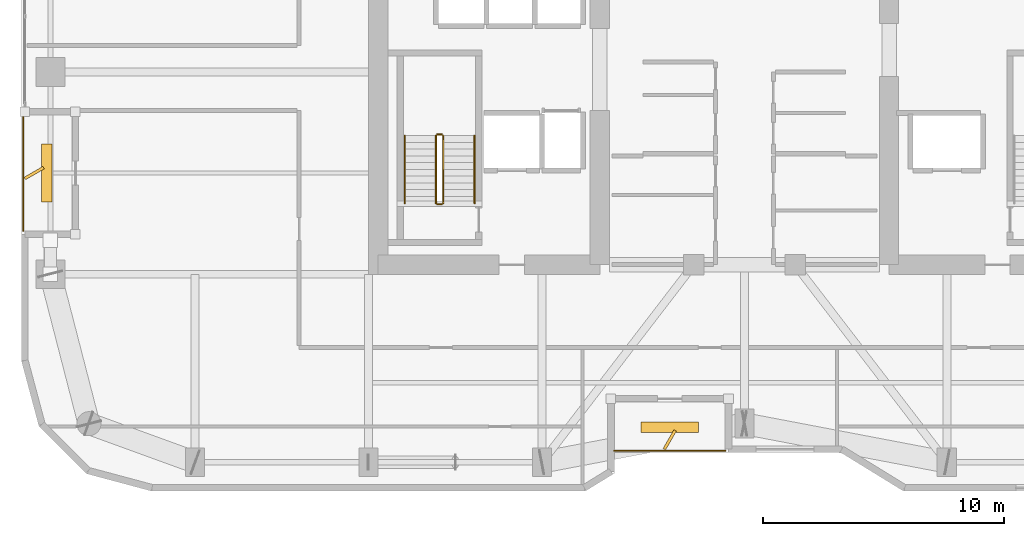
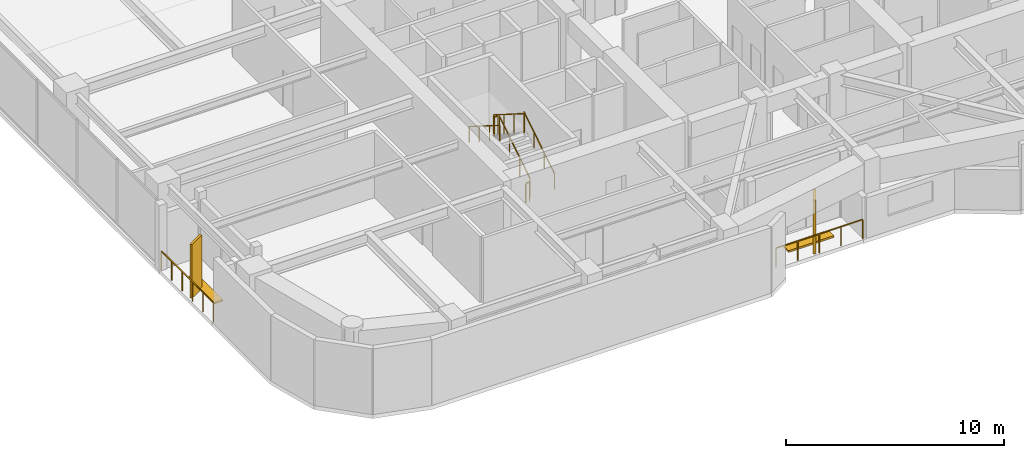
# One storey, part 28 of 30: 8 railings, 4 shading devices.
"""IFC4 building model written with IfcOpenShell, lengths in metres."""

from ifc_helpers import new_model, si_unit, direction, frame, origin, origin_2d, place, context, subcontext, project, spatial, rectangle, extrude, material, type_object, element, save


model = new_model("IFC4")

# Units and contexts
model_context = context("Model", 3, precision=1e-05, world=origin(), true_north=direction((0.0, 1.0)))
body_context = subcontext(model_context, "Body", "Model", "MODEL_VIEW")
ifc_project = project(units=[si_unit("LENGTHUNIT", "METRE"), si_unit("AREAUNIT", "SQUARE_METRE"), si_unit("VOLUMEUNIT", "CUBIC_METRE"), si_unit("PLANEANGLEUNIT", "RADIAN"), si_unit("MASSUNIT", "GRAM", prefix="KILO")], contexts=[model_context])

# Site, building, storey
site_placement = place(None, origin())
site = spatial("IfcSite", under=ifc_project, at=site_placement, CompositionType="ELEMENT")
building_placement = place(site_placement, origin())
building = spatial("IfcBuilding", under=site, at=building_placement, Name="Kiyonajd Concourse Tower", CompositionType="ELEMENT")
storey_placement = place(building_placement, frame((0.0, 0.0, 174.0)))
storey = spatial("IfcBuildingStorey", under=building, at=storey_placement, Name="L44", CompositionType="ELEMENT", Elevation=174.0)

# Railings
ifc_material_1 = material(Name="Thermally Broken Anodised Aluminium", Category="aluminium")
railing_type_1 = type_object("IfcRailingType", Name="RL-GRD-LOG", PredefinedType="GUARDRAIL", material=ifc_material_1)
railing_1_placement = place(storey_placement, frame((42.60009765625, 20.280029296875, 0.0)))
element("IfcRailing", 1, at=railing_1_placement, inside=storey, type_object=railing_type_1, Name="L44 Engawa Loggia Perimeter Guard LOG-S", PredefinedType="GUARDRAIL", context=body_context, shape_type="SweptSolid", body=[
    extrude(rectangle(XDim=0.048095703125, YDim=0.048095703125, at=origin_2d()), frame((0.0, 0.0, 1.076171875), z_axis=(1.0, 0.0, 0.0), x_axis=(0.0, 1.0, 0.0)), (0.0, 0.0, 1.0), 4.599853515625),
    extrude(rectangle(XDim=0.0419921875, YDim=0.0419921875, at=origin_2d()), origin(), (0.0, 0.0, 1.0), 1.052001953125),
    extrude(rectangle(XDim=0.0419921875, YDim=0.0419921875, at=origin_2d()), frame((1.14990234375, 0.0, 0.0)), (0.0, 0.0, 1.0), 1.052001953125),
    extrude(rectangle(XDim=0.0419921875, YDim=0.0419921875, at=origin_2d()), frame((2.2998046875, 0.0, 0.0)), (0.0, 0.0, 1.0), 1.052001953125),
    extrude(rectangle(XDim=0.0419921875, YDim=0.0419921875, at=origin_2d()), frame((3.449951171875, 0.0, 0.0)), (0.0, 0.0, 1.0), 1.052001953125),
    extrude(rectangle(XDim=0.0419921875, YDim=0.0419921875, at=origin_2d()), frame((4.599853515625, 0.0, 0.0)), (0.0, 0.0, 1.0), 1.052001953125),
])
railing_2_placement = place(storey_placement, frame((18.080078125, 34.199951171875, 0.0)))
element("IfcRailing", 2, at=railing_2_placement, inside=storey, type_object=railing_type_1, Name="L44 Engawa Loggia Perimeter Guard LOG-W", PredefinedType="GUARDRAIL", context=body_context, shape_type="SweptSolid", body=[
    extrude(rectangle(XDim=0.048095703125, YDim=0.048095703125, at=origin_2d()), frame((0.0, 0.0, 1.076171875), z_axis=(0.0, -1.0, 0.0), x_axis=(1.0, 0.0, 0.0)), (0.0, 0.0, 1.0), 4.800048828125),
    extrude(rectangle(XDim=0.0419921875, YDim=0.0419921875, at=origin_2d()), origin(), (0.0, 0.0, 1.0), 1.052001953125),
    extrude(rectangle(XDim=0.0419921875, YDim=0.0419921875, at=origin_2d()), frame((0.0, -0.9599609375, 0.0)), (0.0, 0.0, 1.0), 1.052001953125),
    extrude(rectangle(XDim=0.0419921875, YDim=0.0419921875, at=origin_2d()), frame((0.0, -1.919921875, 0.0)), (0.0, 0.0, 1.0), 1.052001953125),
    extrude(rectangle(XDim=0.0419921875, YDim=0.0419921875, at=origin_2d()), frame((0.0, -2.880126953125, 0.0)), (0.0, 0.0, 1.0), 1.052001953125),
    extrude(rectangle(XDim=0.0419921875, YDim=0.0419921875, at=origin_2d()), frame((0.0, -3.840087890625, 0.0)), (0.0, 0.0, 1.0), 1.052001953125),
    extrude(rectangle(XDim=0.0419921875, YDim=0.0419921875, at=origin_2d()), frame((0.0, -4.800048828125, 0.0)), (0.0, 0.0, 1.0), 1.052001953125),
])
ifc_material_2 = material(Name="Steel ASTM A500 Grade C", Category="steel")
railing_type_2 = type_object("IfcRailingType", Name="RL-GRD-STR", PredefinedType="GUARDRAIL", material=ifc_material_2)
railing_3_placement = place(storey_placement, frame((35.5, 30.550048828125, 0.17724609375)))
element("IfcRailing", 3, at=railing_3_placement, inside=storey, type_object=railing_type_2, Name="L44 ST1 stair guard 1", PredefinedType="GUARDRAIL", context=body_context, shape_type="SweptSolid", body=[
    extrude(rectangle(XDim=0.048095703125, YDim=0.048095703125, at=origin_2d()), frame((0.0, 0.0, 1.076171875), z_axis=(0.0, 0.844908973607, 0.534910110503), x_axis=(-1.0, 0.0, 0.0)), (0.0, 0.0, 1.0), 3.31396484375),
    extrude(rectangle(XDim=0.0419921875, YDim=0.0419921875, at=origin_2d()), origin(), (0.0, 0.0, 1.0), 1.052001953125),
    extrude(rectangle(XDim=0.0419921875, YDim=0.0419921875, at=origin_2d()), frame((0.0, 0.933349609375, 0.5908203125)), (0.0, 0.0, 1.0), 1.052001953125),
    extrude(rectangle(XDim=0.0419921875, YDim=0.0419921875, at=origin_2d()), frame((0.0, 1.86669921875, 1.181884765625)), (0.0, 0.0, 1.0), 1.052001953125),
    extrude(rectangle(XDim=0.0419921875, YDim=0.0419921875, at=origin_2d()), frame((0.0, 2.800048828125, 1.772705078125)), (0.0, 0.0, 1.0), 1.052001953125),
])
railing_4_placement = place(storey_placement, frame((35.449951171875, 33.39990234375, 1.949951171875)))
element("IfcRailing", 4, at=railing_4_placement, inside=storey, type_object=railing_type_2, Name="L44 ST1 stair guard 2", PredefinedType="GUARDRAIL", context=body_context, shape_type="SweptSolid", body=[
    extrude(rectangle(XDim=0.048095703125, YDim=0.048095703125, at=origin_2d()), frame((0.0, 0.0, 1.076171875), z_axis=(-1.0, 0.0, 0.0), x_axis=(0.0, -1.0, 0.0)), (0.0, 0.0, 1.0), 0.199951171875),
    extrude(rectangle(XDim=0.0419921875, YDim=0.0419921875, at=origin_2d()), origin(), (0.0, 0.0, 1.0), 1.052001953125),
    extrude(rectangle(XDim=0.0419921875, YDim=0.0419921875, at=origin_2d()), frame((-0.199951171875, 0.0, 0.0)), (0.0, 0.0, 1.0), 1.052001953125),
])
railing_5_placement = place(storey_placement, frame((35.199951171875, 33.35009765625, 2.127197265625)))
element("IfcRailing", 5, at=railing_5_placement, inside=storey, type_object=railing_type_2, Name="L44 ST1 stair guard 3", PredefinedType="GUARDRAIL", context=body_context, shape_type="SweptSolid", body=[
    extrude(rectangle(XDim=0.048095703125, YDim=0.048095703125, at=origin_2d()), frame((0.0, 0.0, 1.076171875), z_axis=(0.0, -0.844908973607, 0.534910110503), x_axis=(1.0, 0.0, 0.0)), (0.0, 0.0, 1.0), 3.31396484375),
    extrude(rectangle(XDim=0.0419921875, YDim=0.0419921875, at=origin_2d()), origin(), (0.0, 0.0, 1.0), 1.052001953125),
    extrude(rectangle(XDim=0.0419921875, YDim=0.0419921875, at=origin_2d()), frame((0.0, -0.933349609375, 0.5908203125)), (0.0, 0.0, 1.0), 1.052001953125),
    extrude(rectangle(XDim=0.0419921875, YDim=0.0419921875, at=origin_2d()), frame((0.0, -1.86669921875, 1.181884765625)), (0.0, 0.0, 1.0), 1.052001953125),
    extrude(rectangle(XDim=0.0419921875, YDim=0.0419921875, at=origin_2d()), frame((0.0, -2.800048828125, 1.772705078125)), (0.0, 0.0, 1.0), 1.052001953125),
])
railing_6_placement = place(storey_placement, frame((35.449951171875, 30.5, 0.0)))
element("IfcRailing", 6, at=railing_6_placement, inside=storey, type_object=railing_type_2, Name="L44 ST1 stair guard 4", PredefinedType="GUARDRAIL", context=body_context, shape_type="SweptSolid", body=[
    extrude(rectangle(XDim=0.048095703125, YDim=0.048095703125, at=origin_2d()), frame((0.0, 0.0, 1.076171875), z_axis=(-1.0, 0.0, 0.0), x_axis=(0.0, -1.0, 0.0)), (0.0, 0.0, 1.0), 0.199951171875),
    extrude(rectangle(XDim=0.0419921875, YDim=0.0419921875, at=origin_2d()), origin(), (0.0, 0.0, 1.0), 1.052001953125),
    extrude(rectangle(XDim=0.0419921875, YDim=0.0419921875, at=origin_2d()), frame((-0.199951171875, 0.0, 0.0)), (0.0, 0.0, 1.0), 1.052001953125),
])
ifc_material_3 = material(Name="Brushed Stainless Steel Cab Assembly", Category="steel")
railing_type_3 = type_object("IfcRailingType", Name="RL-HND-900", PredefinedType="HANDRAIL", material=ifc_material_3)
railing_7_placement = place(storey_placement, frame((36.800048828125, 30.550048828125, 0.17724609375)))
element("IfcRailing", 7, at=railing_7_placement, inside=storey, type_object=railing_type_3, Name="L44 ST1 stair handrail 1", PredefinedType="HANDRAIL", context=body_context, shape_type="SweptSolid", body=[
    extrude(rectangle(XDim=0.048095703125, YDim=0.048095703125, at=origin_2d()), frame((0.0, 0.0, 0.8759765625), z_axis=(0.0, 0.844908973607, 0.534910110503), x_axis=(-1.0, 0.0, 0.0)), (0.0, 0.0, 1.0), 3.31396484375),
    extrude(rectangle(XDim=0.0419921875, YDim=0.0419921875, at=origin_2d()), origin(), (0.0, 0.0, 1.0), 0.851806640625),
    extrude(rectangle(XDim=0.0419921875, YDim=0.0419921875, at=origin_2d()), frame((0.0, 0.933349609375, 0.5908203125)), (0.0, 0.0, 1.0), 0.851806640625),
    extrude(rectangle(XDim=0.0419921875, YDim=0.0419921875, at=origin_2d()), frame((0.0, 1.86669921875, 1.181884765625)), (0.0, 0.0, 1.0), 0.851806640625),
    extrude(rectangle(XDim=0.0419921875, YDim=0.0419921875, at=origin_2d()), frame((0.0, 2.800048828125, 1.772705078125)), (0.0, 0.0, 1.0), 0.851806640625),
])
railing_8_placement = place(storey_placement, frame((33.89990234375, 33.35009765625, 2.127197265625)))
element("IfcRailing", 8, at=railing_8_placement, inside=storey, type_object=railing_type_3, Name="L44 ST1 stair handrail 2", PredefinedType="HANDRAIL", context=body_context, shape_type="SweptSolid", body=[
    extrude(rectangle(XDim=0.048095703125, YDim=0.048095703125, at=origin_2d()), frame((0.0, 0.0, 0.8759765625), z_axis=(0.0, -0.844908973607, 0.534910110503), x_axis=(1.0, 0.0, 0.0)), (0.0, 0.0, 1.0), 3.31396484375),
    extrude(rectangle(XDim=0.0419921875, YDim=0.0419921875, at=origin_2d()), origin(), (0.0, 0.0, 1.0), 0.851806640625),
    extrude(rectangle(XDim=0.0419921875, YDim=0.0419921875, at=origin_2d()), frame((0.0, -0.933349609375, 0.5908203125)), (0.0, 0.0, 1.0), 0.851806640625),
    extrude(rectangle(XDim=0.0419921875, YDim=0.0419921875, at=origin_2d()), frame((0.0, -1.86669921875, 1.181884765625)), (0.0, 0.0, 1.0), 0.851806640625),
    extrude(rectangle(XDim=0.0419921875, YDim=0.0419921875, at=origin_2d()), frame((0.0, -2.800048828125, 1.772705078125)), (0.0, 0.0, 1.0), 0.851806640625),
])

# Shading devices
ifc_material_4 = material(Name="Precast concrete C50/60", Category="concrete")
shading_device_type_1 = type_object("IfcShadingDeviceType", Name="SH-FIN-900", PredefinedType="USERDEFINED", material=ifc_material_4)
for number, where, z_axis, x_axis, name in (
    (9, (44.89990234375, 20.72998046875, 0.0), (0.0, 0.0, 1.0), (0.5, 0.866025403784, 0.0), "L44 Angled Koshi Solar Fin LOG-S"),
    (10, (18.530029296875, 31.800048828125, 0.0), (0.0, 0.0, 1.0), (0.866025403784, 0.5, 0.0), "L44 Angled Koshi Solar Fin LOG-W"),
):
    element("IfcShadingDevice", number, at=place(storey_placement, frame(where, z_axis=z_axis, x_axis=x_axis)), inside=storey, type_object=shading_device_type_1, Name=name, ObjectType="FIN", PredefinedType="USERDEFINED", context=body_context, shape_type="SweptSolid", body=[
        extrude(rectangle(XDim=0.89990234375, YDim=0.1201171875, at=origin_2d()), origin(), (0.0, 0.0, 1.0), 3.0),
    ])
shading_device_type_2 = type_object("IfcShadingDeviceType", Name="SH-LVR-600", PredefinedType="JALOUSIE", material=ifc_material_1)
for number, where, z_axis, x_axis, name in (
    (11, (44.89990234375, 21.25, 0.0), (0.0, 0.0, 1.0), (1.0, 0.0, 0.0), "L44 Loggia Threshold Louver LOG-S"),
    (12, (19.050048828125, 31.800048828125, 0.0), (0.0, 0.0, 1.0), (0.0, 1.0, 0.0), "L44 Loggia Threshold Louver LOG-W"),
):
    element("IfcShadingDevice", number, at=place(storey_placement, frame(where, z_axis=z_axis, x_axis=x_axis)), inside=storey, type_object=shading_device_type_2, Name=name, PredefinedType="JALOUSIE", context=body_context, shape_type="SweptSolid", body=[
        extrude(rectangle(XDim=2.39990234375, YDim=0.449951171875, at=origin_2d()), origin(), (0.0, 0.0, 1.0), 0.10009765625),
    ])

save(model, "model.ifc")
